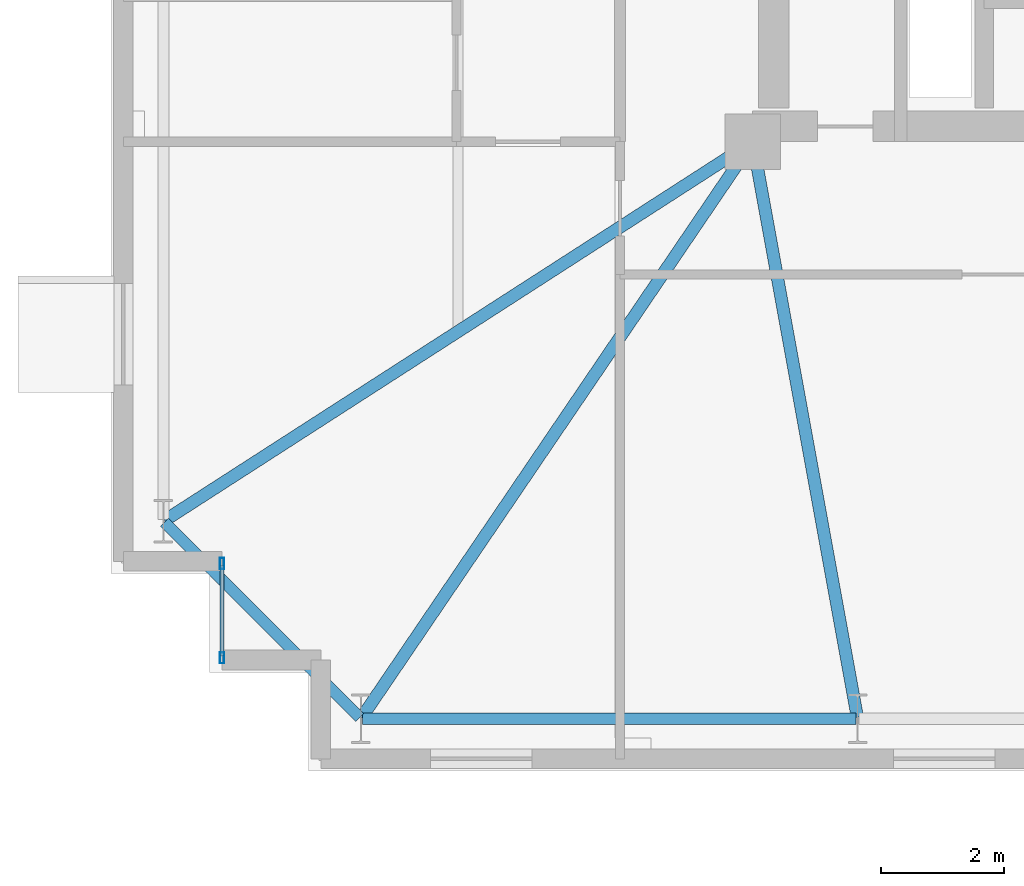
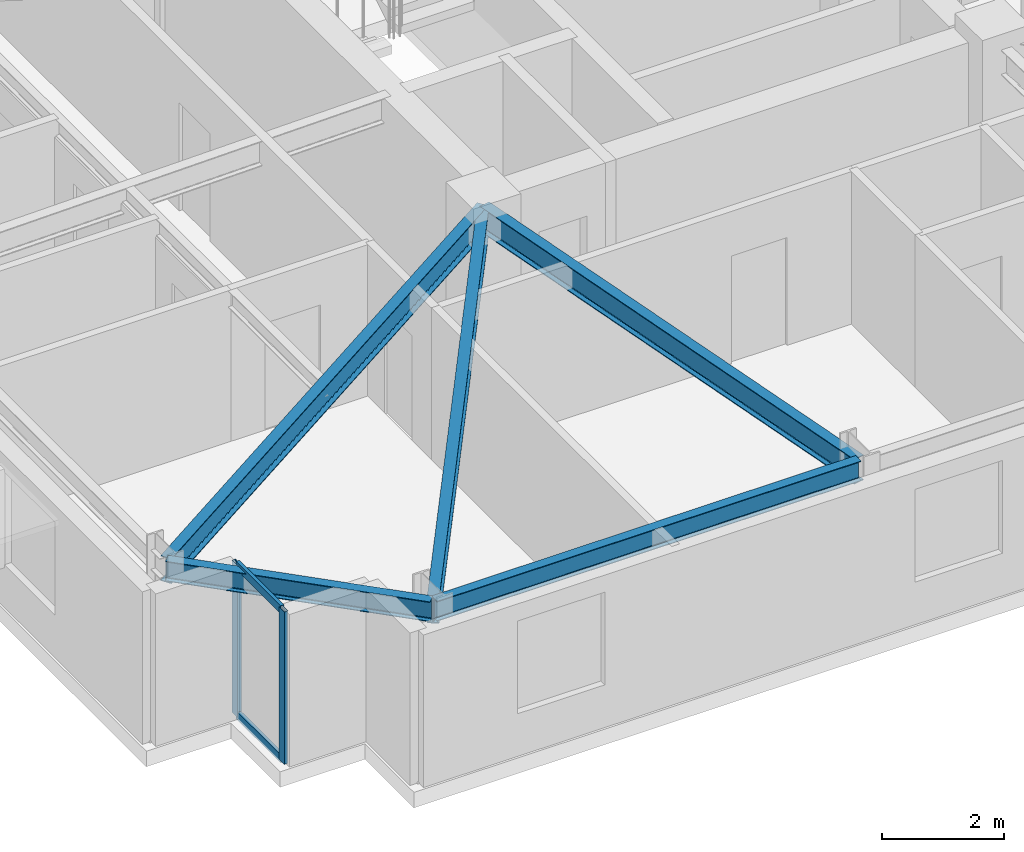
# One storey, part 3 of 19: 5 beams, 4 members, 1 element without a shape of its own.
"""IFC4 building model written with IfcOpenShell, lengths in metres."""

from ifc_helpers import new_model, si_unit, direction, frame, origin, origin_2d, place, context, subcontext, project, spatial, hollow_rectangle, i_section, extrude, material, layer, layer_set, material_profile, profile_set, type_object, element, aggregate, save


model = new_model("IFC4")

# Units and contexts
model_context = context("Model", 3, precision=1e-05, world=origin(), true_north=direction((0.0, 1.0)))
body_context = subcontext(model_context, "Body", "Model", "MODEL_VIEW")
ifc_project = project(units=[si_unit("LENGTHUNIT", "METRE"), si_unit("AREAUNIT", "SQUARE_METRE"), si_unit("VOLUMEUNIT", "CUBIC_METRE"), si_unit("PLANEANGLEUNIT", "RADIAN"), si_unit("MASSUNIT", "GRAM", prefix="KILO")], contexts=[model_context])

# Site, building, storey
site_placement = place(None, origin())
site = spatial("IfcSite", under=ifc_project, at=site_placement, CompositionType="ELEMENT")
building_placement = place(site_placement, origin())
building = spatial("IfcBuilding", under=site, at=building_placement, Name="Qobustan Lattice House", CompositionType="ELEMENT")
storey_placement = place(building_placement, frame((0.0, 0.0, 137.699951171875)))
storey = spatial("IfcBuildingStorey", under=building, at=storey_placement, Name="L38", CompositionType="ELEMENT", Elevation=137.699951171875)

# Beams
ifc_material_1 = material(Name="Steel S355", Category="steel")
ifc_material_profile_1 = material_profile(ifc_material_1, i_section(OverallWidth=0.199951171875, OverallDepth=0.5, WebThickness=0.01025390625, FlangeThickness=0.01611328125, FilletRadius=0.02099609375, at=origin_2d()), Name="IPE500")
ifc_profile_set_1 = profile_set([ifc_material_profile_1], Name="Steel S355")
beam_type_1 = type_object("IfcBeamType", Name="BM-FLG-IPE500", PredefinedType="USERDEFINED", material=ifc_profile_set_1)
beam_1_placement = place(storey_placement, frame((-25.135986328125, -14.92919921875, 2.7900390625), z_axis=(0.561834572616, 0.827249607442, 0.0), x_axis=(-0.827249607442, 0.561834572616, 0.0)))
element("IfcBeam", 1, at=beam_1_placement, inside=storey, type_object=beam_type_1, Name="L38 primary floor girder RAD-S1W", ObjectType="GIRDER", PredefinedType="USERDEFINED", context=body_context, shape_type="SweptSolid", body=[
    extrude(i_section(OverallWidth=0.199951171875, OverallDepth=0.5, WebThickness=0.01025390625, FlangeThickness=0.01611328125, FilletRadius=0.02099609375, at=origin_2d()), origin(), (0.0, 0.0, 1.0), 11.25244140625),
])
beam_2_placement = place(storey_placement, frame((-17.1044921875, -14.92529296875, 2.7900390625), z_axis=(-0.178871801984, 0.983872389314, 0.0), x_axis=(-0.983872389314, -0.178871801984, 0.0)))
element("IfcBeam", 2, at=beam_2_placement, inside=storey, type_object=beam_type_1, Name="L38 primary floor girder RAD-S2", ObjectType="GIRDER", PredefinedType="USERDEFINED", context=body_context, shape_type="SweptSolid", body=[
    extrude(i_section(OverallWidth=0.199951171875, OverallDepth=0.5, WebThickness=0.01025390625, FlangeThickness=0.01611328125, FilletRadius=0.02099609375, at=origin_2d()), origin(), (0.0, 0.0, 1.0), 9.453125),
])
beam_3_placement = place(storey_placement, frame((-28.3291015625, -11.736572265625, 2.7900390625), z_axis=(0.840746836292, 0.5414284415, 0.0), x_axis=(-0.5414284415, 0.840746836292, 0.0)))
element("IfcBeam", 3, at=beam_3_placement, inside=storey, type_object=beam_type_1, Name="L38 primary floor girder RAD-W4", ObjectType="GIRDER", PredefinedType="USERDEFINED", context=body_context, shape_type="SweptSolid", body=[
    extrude(i_section(OverallWidth=0.199951171875, OverallDepth=0.5, WebThickness=0.01025390625, FlangeThickness=0.01611328125, FilletRadius=0.02099609375, at=origin_2d()), origin(), (0.0, 0.0, 1.0), 11.30908203125),
])
ifc_material_2 = material(Name="Steel S355", Category="steel")
ifc_material_profile_2 = material_profile(ifc_material_2, i_section(OverallWidth=0.179931640625, OverallDepth=0.39990234375, WebThickness=0.008544921875, FlangeThickness=0.013427734375, FilletRadius=0.02099609375, at=origin_2d()), Name="IPE400")
ifc_profile_set_2 = profile_set([ifc_material_profile_2], Name="Steel S355")
beam_type_2 = type_object("IfcBeamType", Name="BM-SPD-IPE400", PredefinedType="SPANDREL", material=ifc_profile_set_2)
beam_4_placement = place(storey_placement, frame((-25.125, -14.949951171875, 2.840087890625), z_axis=(1.0, 0.0, 0.0), x_axis=(0.0, 1.0, 0.0)))
element("IfcBeam", 4, at=beam_4_placement, inside=storey, type_object=beam_type_2, Name="L38 perimeter spandrel S1-S2", PredefinedType="SPANDREL", context=body_context, shape_type="SweptSolid", body=[
    extrude(i_section(OverallWidth=0.179931640625, OverallDepth=0.39990234375, WebThickness=0.008544921875, FlangeThickness=0.013427734375, FilletRadius=0.02099609375, at=origin_2d()), origin(), (0.0, 0.0, 1.0), 8.0),
])
beam_5_placement = place(storey_placement, frame((-28.332275390625, -11.767578125, 2.840087890625), z_axis=(0.707079505568, -0.707134055753, 0.0), x_axis=(0.707134055753, 0.707079505568, 0.0)))
element("IfcBeam", 5, at=beam_5_placement, inside=storey, type_object=beam_type_2, Name="L38 perimeter spandrel W4-S1", PredefinedType="SPANDREL", context=body_context, shape_type="SweptSolid", body=[
    extrude(i_section(OverallWidth=0.179931640625, OverallDepth=0.39990234375, WebThickness=0.008544921875, FlangeThickness=0.013427734375, FilletRadius=0.02099609375, at=origin_2d()), origin(), (0.0, 0.0, 1.0), 4.4755859375),
])

# Curtain wall, members
ifc_material_3 = material(Name="Anodised aluminium and low-E glazing", Category="aluminium")
ifc_layer = layer(ifc_material_3, 0.219970703125)
ifc_layer_set = layer_set([ifc_layer], Name="Anodised aluminium and low-E glazing")
curtain_wall_type = type_object("IfcCurtainWallType", Name="CW-FAC-02", PredefinedType="USERDEFINED", material=ifc_layer_set)
curtain_wall_placement = place(storey_placement, origin())
curtain_wall = element("IfcCurtainWall", 6, at=curtain_wall_placement, inside=storey, type_object=curtain_wall_type, Name="L38 serrated corner faceted glazing 3", ObjectType="CURTAIN WALL", PredefinedType="USERDEFINED")
ifc_material_4 = material(Name="Anodised aluminium EN AW-6063 T6", Category="aluminium")
ifc_material_profile_3 = material_profile(ifc_material_4, hollow_rectangle(XDim=0.070068359375, YDim=0.179931640625, WallThickness=0.00439453125, at=origin_2d()), Name="CWM-180x70")
ifc_profile_set_3 = profile_set([ifc_material_profile_3], Name="Anodised aluminium EN AW-6063 T6")
member_type_1 = type_object("IfcMemberType", Name="CWM-STD-180", PredefinedType="MULLION", material=ifc_profile_set_3)
member_1_placement = place(storey_placement, frame((-27.39990234375, -13.965087890625, 0.0), z_axis=(0.0, 0.0, 1.0), x_axis=(-1.0, 0.0, 0.0)))
member_1 = element("IfcMember", 7, at=member_1_placement, type_object=member_type_1, Name="CW-F2 mullion 1", PredefinedType="MULLION", context=body_context, shape_type="SweptSolid", body=[
    extrude(hollow_rectangle(XDim=0.070068359375, YDim=0.179931640625, WallThickness=0.00439453125, at=origin_2d()), origin(), (0.0, 0.0, 1.0), 3.0400390625),
])
member_2_placement = place(storey_placement, frame((-27.39990234375, -12.43505859375, 0.0), z_axis=(0.0, 0.0, 1.0), x_axis=(-1.0, 0.0, 0.0)))
member_2 = element("IfcMember", 8, at=member_2_placement, type_object=member_type_1, Name="CW-F2 mullion 2", PredefinedType="MULLION", context=body_context, shape_type="SweptSolid", body=[
    extrude(hollow_rectangle(XDim=0.070068359375, YDim=0.179931640625, WallThickness=0.00439453125, at=origin_2d()), origin(), (0.0, 0.0, 1.0), 3.0400390625),
])
ifc_material_5 = material(Name="Anodised aluminium EN AW-6063 T6", Category="aluminium")
ifc_material_profile_4 = material_profile(ifc_material_5, hollow_rectangle(XDim=0.06494140625, YDim=0.159912109375, WallThickness=0.00390625, at=origin_2d()), Name="CWT-160x65")
ifc_profile_set_4 = profile_set([ifc_material_profile_4], Name="Anodised aluminium EN AW-6063 T6")
member_type_2 = type_object("IfcMemberType", Name="CWT-HOR-160", PredefinedType="USERDEFINED", material=ifc_profile_set_4)
member_3_placement = place(storey_placement, frame((-27.39990234375, -13.929931640625, 0.032470703125), z_axis=(0.0, 1.0, 0.0), x_axis=(-1.0, 0.0, 0.0)))
member_3 = element("IfcMember", 9, at=member_3_placement, type_object=member_type_2, Name="CW-F2 transom 1.1", ObjectType="TRANSOM", PredefinedType="USERDEFINED", context=body_context, shape_type="SweptSolid", body=[
    extrude(hollow_rectangle(XDim=0.06494140625, YDim=0.159912109375, WallThickness=0.00390625, at=origin_2d()), origin(), (0.0, 0.0, 1.0), 1.4599609375),
])
member_4_placement = place(storey_placement, frame((-27.39990234375, -13.929931640625, 3.007568359375), z_axis=(0.0, 1.0, 0.0), x_axis=(-1.0, 0.0, 0.0)))
member_4 = element("IfcMember", 10, at=member_4_placement, type_object=member_type_2, Name="CW-F2 transom 1.2", ObjectType="TRANSOM", PredefinedType="USERDEFINED", context=body_context, shape_type="SweptSolid", body=[
    extrude(hollow_rectangle(XDim=0.06494140625, YDim=0.159912109375, WallThickness=0.00390625, at=origin_2d()), origin(), (0.0, 0.0, 1.0), 1.4599609375),
])
aggregate(curtain_wall, [member_1, member_2, member_3, member_4])

save(model, "model.ifc")
